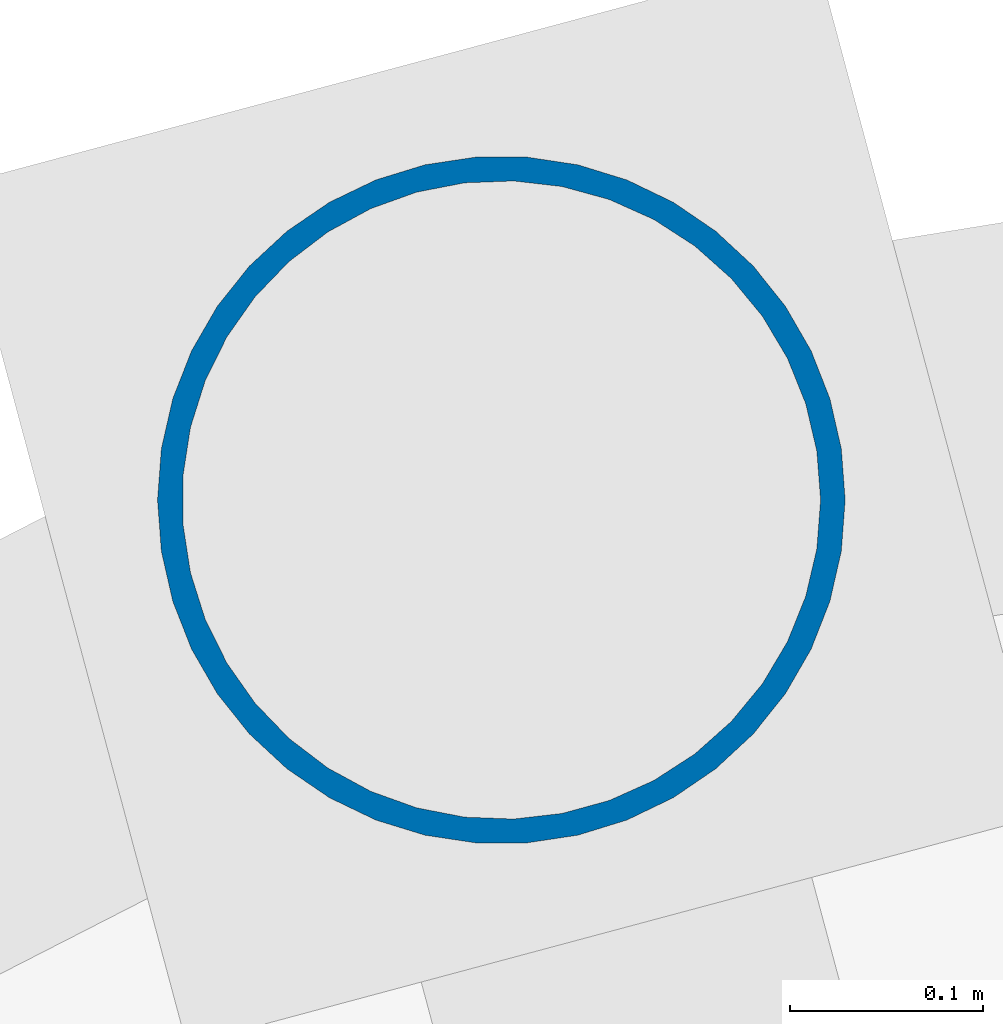
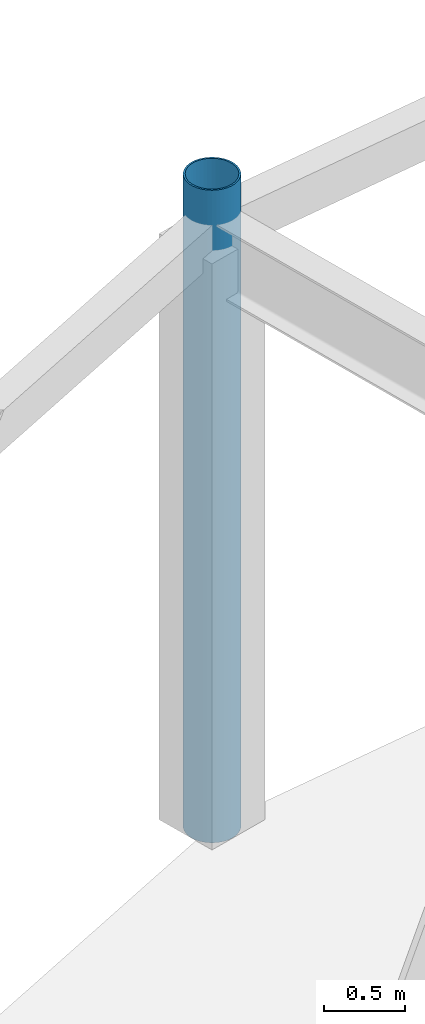
# One storey, part 13 of 144: 1 column.
"""IFC4 building model written with IfcOpenShell, lengths in metres."""

from ifc_helpers import new_model, si_unit, direction, frame, origin, origin_2d, place, context, subcontext, project, spatial, hollow_circle, extrude, material, material_profile, profile_set, type_object, element, save


model = new_model("IFC4")

# Units and contexts
model_context = context("Model", 3, precision=1e-05, world=origin(), true_north=direction((0.0, 1.0)))
body_context = subcontext(model_context, "Body", "Model", "MODEL_VIEW")
ifc_project = project(units=[si_unit("LENGTHUNIT", "METRE"), si_unit("AREAUNIT", "SQUARE_METRE"), si_unit("VOLUMEUNIT", "CUBIC_METRE"), si_unit("PLANEANGLEUNIT", "RADIAN"), si_unit("MASSUNIT", "GRAM", prefix="KILO")], contexts=[model_context])

# Site, building, storey
site_placement = place(None, origin())
site = spatial("IfcSite", under=ifc_project, at=site_placement, CompositionType="ELEMENT")
building_placement = place(site_placement, origin())
building = spatial("IfcBuilding", under=site, at=building_placement, Name="Karori Crest Natural Sciences Institute", CompositionType="ELEMENT")
storey_placement = place(building_placement, origin())
storey = spatial("IfcBuildingStorey", under=building, at=storey_placement, Name="L00", CompositionType="ELEMENT", Elevation=0.0)

# Column
ifc_material = material(Name="Hollow structural steel AS/NZS 1163 Grade C350", Category="steel")
ifc_material_profile = material_profile(ifc_material, hollow_circle(Radius=0.177734375, WallThickness=0.0126953125, at=origin_2d()), Name="CHS355.6x12.7")
ifc_profile_set = profile_set([ifc_material_profile], Name="Hollow structural steel AS/NZS 1163 Grade C350")
column_type = type_object("IfcColumnType", Name="CT-14", PredefinedType="COLUMN", material=ifc_profile_set)
column_placement = place(storey_placement, frame((57.85888671875, 89.309814453125, 0.0), z_axis=(0.0, 0.0, 1.0), x_axis=(1.0, 0.0, 0.0)))
element("IfcColumn", 1, at=column_placement, inside=storey, type_object=column_type, Name="Column C-0127", PredefinedType="COLUMN", context=body_context, shape_type="SweptSolid", body=[
    extrude(hollow_circle(Radius=0.177734375, WallThickness=0.0126953125, at=origin_2d()), origin(), (0.0, 0.0, 1.0), 4.89990234375),
])

save(model, "model.ifc")
